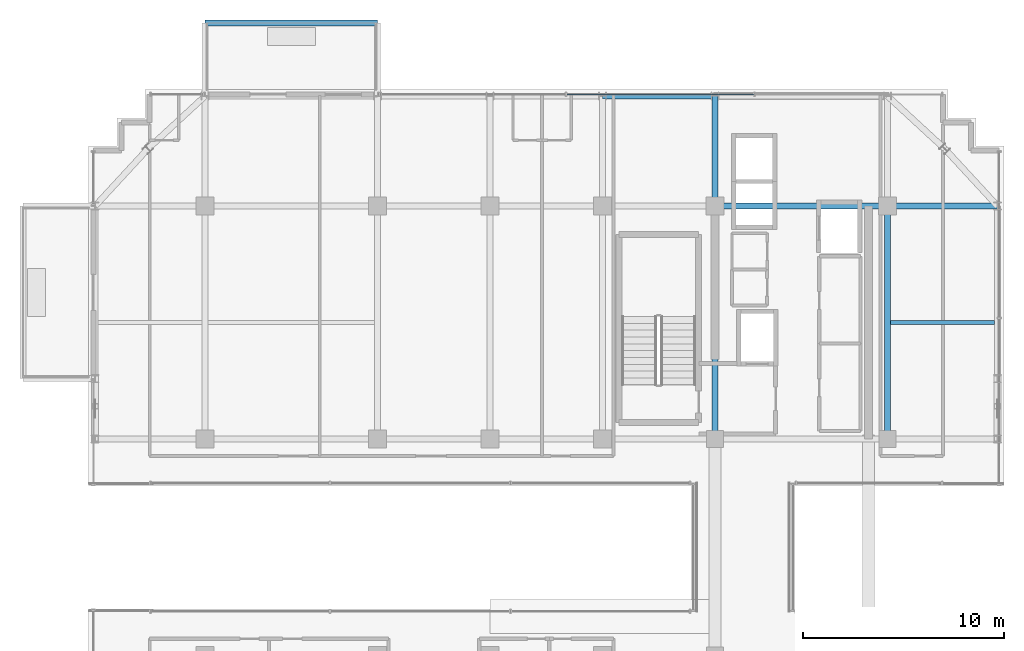
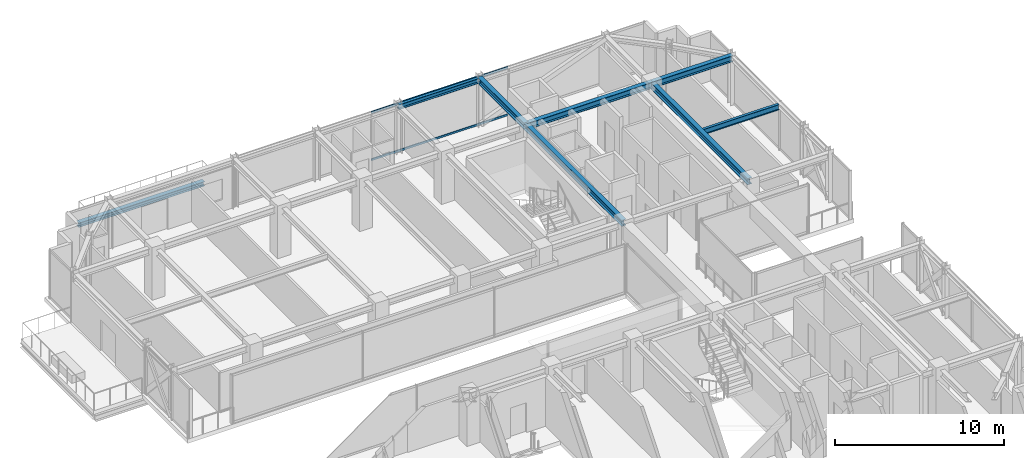
# One storey, part 29 of 40: 8 beams, 2 members, 1 element without a shape of its own.
"""IFC4 building model written with IfcOpenShell, lengths in metres."""

from ifc_helpers import new_model, si_unit, direction, frame, origin, origin_2d, place, context, subcontext, project, spatial, hollow_rectangle, i_section, extrude, source, transform, mapped, material, material_profile, profile_set, type_object, element, aggregate, save


model = new_model("IFC4")

# Units and contexts
model_context = context("Model", 3, precision=1e-05, world=origin(), true_north=direction((0.0, 1.0)))
body_context = subcontext(model_context, "Body", "Model", "MODEL_VIEW")
ifc_project = project(units=[si_unit("LENGTHUNIT", "METRE"), si_unit("AREAUNIT", "SQUARE_METRE"), si_unit("VOLUMEUNIT", "CUBIC_METRE"), si_unit("PLANEANGLEUNIT", "RADIAN"), si_unit("MASSUNIT", "GRAM", prefix="KILO")], contexts=[model_context])

# Site, building, storey
site_placement = place(None, origin())
site = spatial("IfcSite", under=ifc_project, at=site_placement, CompositionType="ELEMENT")
building_placement = place(site_placement, origin())
building = spatial("IfcBuilding", under=site, at=building_placement, Name="Nahalor Promenade Grand Hotel", CompositionType="ELEMENT")
storey_placement = place(building_placement, frame((0.0, 0.0, 288.800048828125)))
storey = spatial("IfcBuildingStorey", under=building, at=storey_placement, Name="L74", CompositionType="ELEMENT", Elevation=288.800048828125)

# Beams
ifc_material_1 = material(Name="Steel S355JR", Category="steel")
ifc_material_profile_1 = material_profile(ifc_material_1, i_section(OverallWidth=0.3, OverallDepth=0.32, WebThickness=0.0115, FlangeThickness=0.0205, at=origin_2d()), Name="HEB 320")
ifc_profile_set_1 = profile_set([ifc_material_profile_1], Name="Steel S355JR")
beam_type_1 = type_object("IfcBeamType", Name="Beam-BalcEdge-HEB320", PredefinedType="SPANDREL", material=ifc_profile_set_1)
shared_shape_1 = source(origin(), body_context, "Body", "SweptSolid", [
    extrude(i_section(OverallWidth=0.3, OverallDepth=0.32, WebThickness=0.0115, FlangeThickness=0.0205, at=origin_2d()), origin(), (0.0, 0.0, 1.0), 8.60009765625),
])
beam_1_placement = place(storey_placement, frame((-17.0, 26.1201171875, -0.43994140625), z_axis=(1.0, 0.0, 0.0), x_axis=(0.0, 1.0, 0.0)))
element("IfcBeam", 1, at=beam_1_placement, inside=storey, type_object=beam_type_1, Name="BM-L74-BC-01-F", PredefinedType="SPANDREL", context=body_context, shape_type="MappedRepresentation", body=[
    mapped(shared_shape_1, transform((0.0, 0.0, 0.0), scale=1.0)),
])
ifc_material_profile_2 = material_profile(ifc_material_1, i_section(OverallWidth=0.3, OverallDepth=0.45, WebThickness=0.014, FlangeThickness=0.026, at=origin_2d()), Name="HEB 450")
ifc_profile_set_2 = profile_set([ifc_material_profile_2], Name="Steel S355JR")
beam_type_2 = type_object("IfcBeamType", Name="Beam-Girder-HEB450", PredefinedType="BEAM", material=ifc_profile_set_2)
shared_shape_2 = source(origin(), body_context, "Body", "SweptSolid", [
    extrude(i_section(OverallWidth=0.3, OverallDepth=0.45, WebThickness=0.014, FlangeThickness=0.026, at=origin_2d()), origin(), (0.0, 0.0, 1.0), 8.60009765625),
])
beam_2_placement = place(storey_placement, frame((8.39990234375, 17.0, 3.324951171875), z_axis=(1.0, 0.0, 0.0), x_axis=(0.0, 1.0, 0.0)))
element("IfcBeam", 2, at=beam_2_placement, inside=storey, type_object=beam_type_2, Name="BM-L74-GX-3-5", PredefinedType="BEAM", context=body_context, shape_type="MappedRepresentation", body=[
    mapped(shared_shape_2, transform((0.0, 0.0, 0.0), scale=1.0)),
])
shared_shape_3 = source(origin(), body_context, "Body", "SweptSolid", [
    extrude(i_section(OverallWidth=0.3, OverallDepth=0.45, WebThickness=0.014, FlangeThickness=0.026, at=origin_2d()), origin(), (0.0, 0.0, 1.0), 11.60009765625),
])
for number, where, z_axis, x_axis, name in (
    (3, (8.39990234375, 5.39990234375, 3.324951171875), (0.0, 1.0, 0.0), (-1.0, 0.0, 0.0), "BM-L74-GY-4-3"),
    (4, (17.0, 5.39990234375, 3.324951171875), (0.0, 1.0, 0.0), (-1.0, 0.0, 0.0), "BM-L74-GY-5-3"),
):
    element("IfcBeam", number, at=place(storey_placement, frame(where, z_axis=z_axis, x_axis=x_axis)), inside=storey, type_object=beam_type_2, Name=name, PredefinedType="BEAM", context=body_context, shape_type="MappedRepresentation", body=[
        mapped(shared_shape_3, transform((0.0, 0.0, 0.0), scale=1.0)),
    ])
shared_shape_4 = source(origin(), body_context, "Body", "SweptSolid", [
    extrude(i_section(OverallWidth=0.3, OverallDepth=0.45, WebThickness=0.014, FlangeThickness=0.026, at=origin_2d()), origin(), (0.0, 0.0, 1.0), 5.47998046875),
])
for number, where, z_axis, x_axis, name in (
    (5, (17.0, 17.0, 3.324951171875), (1.0, 0.0, 0.0), (0.0, 1.0, 0.0), "BM-L74-GX-3-6"),
    (6, (8.39990234375, 17.0, 3.324951171875), (0.0, 1.0, 0.0), (-1.0, 0.0, 0.0), "BM-L74-GY-4-4"),
):
    element("IfcBeam", number, at=place(storey_placement, frame(where, z_axis=z_axis, x_axis=x_axis)), inside=storey, type_object=beam_type_2, Name=name, PredefinedType="BEAM", context=body_context, shape_type="MappedRepresentation", body=[
        mapped(shared_shape_4, transform((0.0, 0.0, 0.0), scale=1.0)),
    ])
ifc_material_profile_3 = material_profile(ifc_material_1, i_section(OverallWidth=0.18, OverallDepth=0.4, WebThickness=0.0086, FlangeThickness=0.0135, at=origin_2d()), Name="IPE 400")
ifc_profile_set_3 = profile_set([ifc_material_profile_3], Name="Steel S355JR")
beam_type_3 = type_object("IfcBeamType", Name="Beam-Joist-IPE400", PredefinedType="JOIST", material=ifc_profile_set_3)
shared_shape_5 = source(origin(), body_context, "Body", "SweptSolid", [
    extrude(i_section(OverallWidth=0.18, OverallDepth=0.4, WebThickness=0.0086, FlangeThickness=0.0135, at=origin_2d()), origin(), (0.0, 0.0, 1.0), 5.18017578125),
])
beam_3_placement = place(storey_placement, frame((17.14990234375, 11.199951171875, 3.349853515625), z_axis=(1.0, 0.0, 0.0), x_axis=(0.0, 1.0, 0.0)))
element("IfcBeam", 7, at=beam_3_placement, inside=storey, type_object=beam_type_3, Name="BM-L74-JSE-1-2", PredefinedType="JOIST", context=body_context, shape_type="MappedRepresentation", body=[
    mapped(shared_shape_5, transform((0.0, 0.0, 0.0), scale=1.0)),
])
ifc_material_profile_4 = material_profile(ifc_material_1, i_section(OverallWidth=0.3, OverallDepth=0.36, WebThickness=0.0125, FlangeThickness=0.0225, at=origin_2d()), Name="HEB 360")
ifc_profile_set_4 = profile_set([ifc_material_profile_4], Name="Steel S355JR")
beam_type_4 = type_object("IfcBeamType", Name="Beam-Spandrel-HEB360", PredefinedType="SPANDREL", material=ifc_profile_set_4)
shared_shape_6 = source(origin(), body_context, "Body", "SweptSolid", [
    extrude(i_section(OverallWidth=0.3, OverallDepth=0.36, WebThickness=0.0125, FlangeThickness=0.0225, at=origin_2d()), origin(), (0.0, 0.0, 1.0), 5.599853515625),
])
beam_4_placement = place(storey_placement, frame((2.800048828125, 22.47998046875, 3.369873046875), z_axis=(1.0, 0.0, 0.0), x_axis=(0.0, 1.0, 0.0)))
element("IfcBeam", 8, at=beam_4_placement, inside=storey, type_object=beam_type_4, Name="BM-L74-SP-N-3", PredefinedType="SPANDREL", context=body_context, shape_type="MappedRepresentation", body=[
    mapped(shared_shape_6, transform((0.0, 0.0, 0.0), scale=1.0)),
])

# Curtain wall, members
ifc_material_2 = material(Name="Anodised Bronze Aluminium EN AW-6063 T6", Category="aluminium")
curtain_wall_type = type_object("IfcCurtainWallType", Name="CW3 Elliptical-Void Collar Unitised Curtain Wall", PredefinedType="USERDEFINED", material=ifc_material_2)
curtain_wall_placement = place(storey_placement, origin())
curtain_wall = element("IfcCurtainWall", 9, at=curtain_wall_placement, inside=storey, type_object=curtain_wall_type, Name="L74 Curtain Wall CW-L74-N-3", ObjectType="UNITISED_CURTAIN_WALL", PredefinedType="USERDEFINED")
ifc_material_profile_5 = material_profile(ifc_material_2, hollow_rectangle(XDim=0.07, YDim=0.14, WallThickness=0.004, at=origin_2d()), Name="CWT 70x140x4")
ifc_profile_set_5 = profile_set([ifc_material_profile_5], Name="Anodised Bronze Aluminium EN AW-6063 T6")
member_type = type_object("IfcMemberType", Name="CWT3 Void Collar Transom 70x140", PredefinedType="USERDEFINED", material=ifc_profile_set_5)
shared_shape_7 = source(origin(), body_context, "Body", "SweptSolid", [
    extrude(hollow_rectangle(XDim=0.07, YDim=0.14, WallThickness=0.004, at=origin_2d()), origin(), (0.0, 0.0, 1.0), 9.316650390625),
])
member_1_placement = place(storey_placement, frame((1.021728515625, 22.56005859375, 0.070068359375), z_axis=(1.0, 0.0, 0.0), x_axis=(0.0, 1.0, 0.0)))
member_1 = element("IfcMember", 10, at=member_1_placement, type_object=member_type, Name="CW-L74-N-3 Transom 1-0", ObjectType="TRANSOM", PredefinedType="USERDEFINED", context=body_context, shape_type="MappedRepresentation", body=[
    mapped(shared_shape_7, transform((0.0, 0.0, 0.0), scale=1.0)),
])
member_2_placement = place(storey_placement, frame((1.021728515625, 22.56005859375, 3.47998046875), z_axis=(1.0, 0.0, 0.0), x_axis=(0.0, 1.0, 0.0)))
member_2 = element("IfcMember", 11, at=member_2_placement, type_object=member_type, Name="CW-L74-N-3 Transom 1-1", ObjectType="TRANSOM", PredefinedType="USERDEFINED", context=body_context, shape_type="MappedRepresentation", body=[
    mapped(shared_shape_7, transform((0.0, 0.0, 0.0), scale=1.0)),
])
aggregate(curtain_wall, [member_1, member_2])

save(model, "model.ifc")
